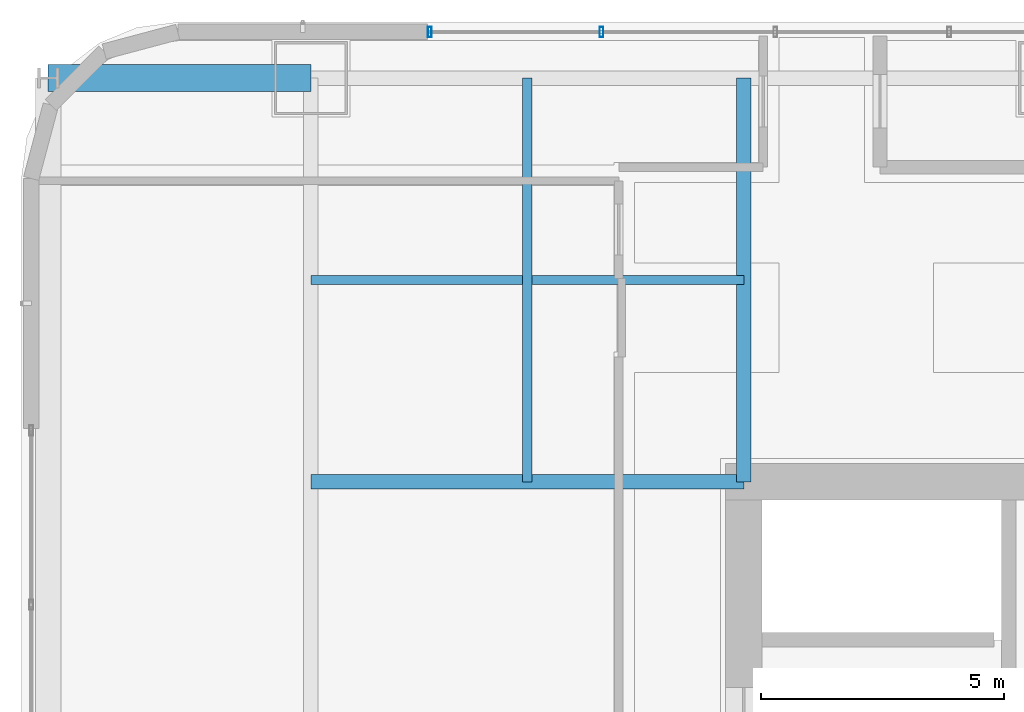
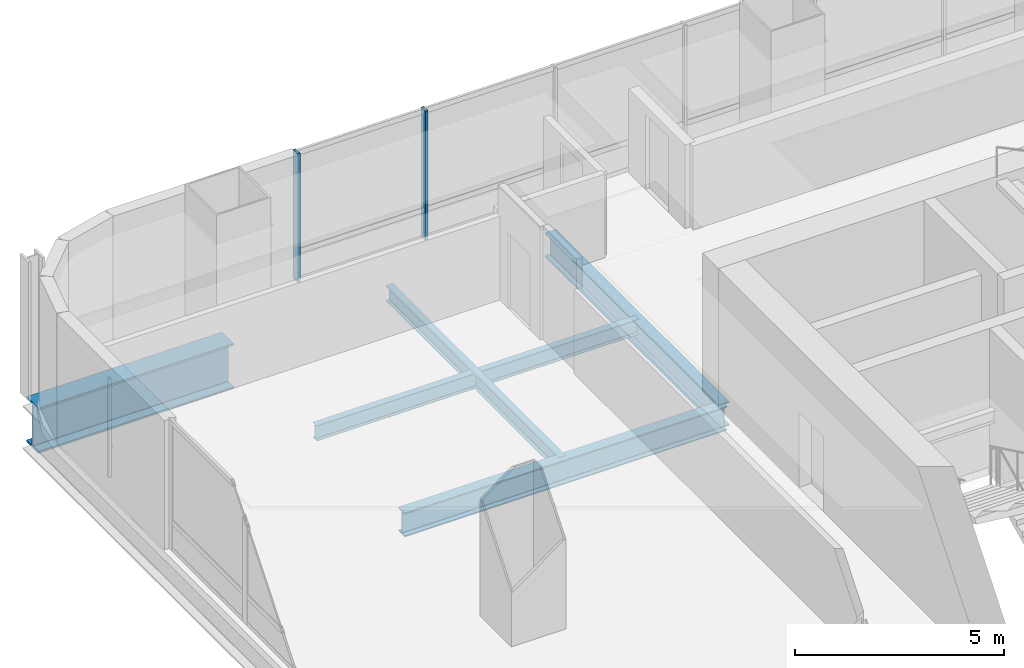
# One storey, part 18 of 45: 5 beams, 2 members, 1 element without a shape of its own.
"""IFC4 building model written with IfcOpenShell, lengths in metres."""

import ifcopenshell
import ifcopenshell.guid

model = None  # the IFC model being written
_history = None  # IfcOwnerHistory: only IFC2X3 demands one
_inside = {}  # id of a spatial element -> (the spatial element, [elements in it])
_under = {}  # id of a project, library or spatial element -> (it, [spatial elements below it])
_declared = {}  # id of a project -> (the project, [libraries it declares])
_typed = {}  # id of a type object -> (the type object, [elements of that type])
_made_of = {}  # id of a material, layer set ... -> (it, [elements and type objects made of it])


def new_model(schema):
    """Start an empty IFC model of exactly this schema.

    Asked for "IFC4X3", IfcOpenShell would pick the latest addendum, in which some entities
    have other attributes; the version numbers below select the first issue.
    IFC2X3 requires an IfcOwnerHistory on every rooted entity: one is made here for all.
    """
    global model, _history
    if schema == "IFC4X3":
        model = ifcopenshell.file(schema_version=(4, 3, 0, 0))
    else:
        model = ifcopenshell.file(schema=schema)
    _inside.clear()
    _under.clear()
    _declared.clear()
    _typed.clear()
    _made_of.clear()
    _history = None
    if model.schema == "IFC2X3":
        org = make("IfcOrganization", Name="unknown")
        user = make(
            "IfcPersonAndOrganization",
            ThePerson=make("IfcPerson", FamilyName="unknown"),
            TheOrganization=org,
        )
        app = make(
            "IfcApplication",
            ApplicationDeveloper=org,
            Version="unknown",
            ApplicationFullName="unknown",
            ApplicationIdentifier="unknown",
        )
        _history = make(
            "IfcOwnerHistory",
            OwningUser=user,
            OwningApplication=app,
            ChangeAction="ADDED",
            CreationDate=0,
        )
    return model


def make(cls, **values):
    """One entity of the class cls with the attributes given. An attribute that is None is left unset."""
    return model.create_entity(
        cls, **{name: value for name, value in values.items() if value is not None}
    )


def rooted(cls, **values):
    """An entity with a GlobalId (a new one), such as an element, a storey or a relation."""
    return make(cls, GlobalId=ifcopenshell.guid.new(), OwnerHistory=_history, **values)


def si_unit(unit_type, name, prefix=None):
    """IfcSIUnit, for example si_unit("LENGTHUNIT", "METRE", prefix="MILLI")."""
    return make("IfcSIUnit", UnitType=unit_type, Prefix=prefix, Name=name)


def assignment(units):
    """IfcUnitAssignment: the units of a project."""
    return None if units is None else make("IfcUnitAssignment", Units=units)


def point(xyz):
    """IfcCartesianPoint."""
    return None if xyz is None else make("IfcCartesianPoint", Coordinates=xyz)


def direction(xyz):
    """IfcDirection."""
    return None if xyz is None else make("IfcDirection", DirectionRatios=xyz)


def frame(location, z_axis=None, x_axis=None):
    """IfcAxis2Placement3D, a coordinate frame: its origin and axes. An axis left out is left unset."""
    return make(
        "IfcAxis2Placement3D",
        Location=point(location),
        Axis=direction(z_axis),
        RefDirection=direction(x_axis),
    )


def frame_2d(location, x_axis=None):
    """IfcAxis2Placement2D, a coordinate frame in the plane: its origin and x axis."""
    return make(
        "IfcAxis2Placement2D", Location=point(location), RefDirection=direction(x_axis)
    )


def origin():
    """The frame at (0, 0, 0) with its axes left unset."""
    return frame((0.0, 0.0, 0.0))


def origin_2d():
    """The frame at (0, 0) in the plane with its x axis left unset."""
    return frame_2d((0.0, 0.0))


def place(relative_to, where):
    """IfcLocalPlacement: puts the frame where relative to a parent placement (None: the world)."""
    return make(
        "IfcLocalPlacement", PlacementRelTo=relative_to, RelativePlacement=where
    )


def context(
    kind, dimensions, precision=None, world=None, true_north=None, identifier=None
):
    """IfcGeometricRepresentationContext, for example the 3D "Model" context."""
    return make(
        "IfcGeometricRepresentationContext",
        ContextIdentifier=identifier,
        ContextType=kind,
        CoordinateSpaceDimension=dimensions,
        Precision=precision,
        WorldCoordinateSystem=world,
        TrueNorth=true_north,
    )


def subcontext(parent, identifier, kind, view, scale=None):
    """IfcGeometricRepresentationSubContext, for example "Body" below "Model"."""
    return make(
        "IfcGeometricRepresentationSubContext",
        ContextIdentifier=identifier,
        ContextType=kind,
        ParentContext=parent,
        TargetScale=scale,
        TargetView=view,
    )


def project(units=None, contexts=None):
    """IfcProject with its units and contexts."""
    return rooted(
        "IfcProject",
        Name="project",
        RepresentationContexts=contexts,
        UnitsInContext=assignment(units),
    )


def spatial(cls, under=None, at=None, **own):
    """A site, building, storey or space (cls), placed at a placement, below another one or the project."""
    s = rooted(cls, ObjectPlacement=at, **own)
    if under is not None:
        _under.setdefault(under.id(), (under, []))[1].append(s)
    return s


def profile(cls, at=None, kind="AREA", **sizes):
    """A parametric profile (cls). Its sizes go by their IFC names, for example OverallWidth=200.0."""
    return make(cls, ProfileType=kind, Position=at, **sizes)


def hollow_rectangle(**sizes):
    """IfcRectangleHollowProfileDef."""
    return profile("IfcRectangleHollowProfileDef", **sizes)


def i_section(**sizes):
    """IfcIShapeProfileDef."""
    return profile("IfcIShapeProfileDef", **sizes)


def extrude(swept, where, along, depth):
    """IfcExtrudedAreaSolid: the profile swept, set in the frame where, extruded along a direction by depth."""
    return make(
        "IfcExtrudedAreaSolid",
        SweptArea=swept,
        Position=where,
        ExtrudedDirection=direction(along),
        Depth=depth,
    )


def shape(context_of_items, identifier, shape_type, items):
    """IfcShapeRepresentation: the items that make up one representation, for example the "Body"."""
    return make(
        "IfcShapeRepresentation",
        ContextOfItems=context_of_items,
        RepresentationIdentifier=identifier,
        RepresentationType=shape_type,
        Items=items,
    )


def material(Name=None, Category=None):
    """IfcMaterial."""
    return make("IfcMaterial", Name=Name, Category=Category)


def material_profile(
    of_material, cross_section, Name=None, Category=None, Priority=None
):
    """IfcMaterialProfile: a cross section and its material."""
    return make(
        "IfcMaterialProfile",
        Name=Name,
        Material=of_material,
        Profile=cross_section,
        Priority=Priority,
        Category=Category,
    )


def profile_set(profiles, Name=None, composite=None):
    """IfcMaterialProfileSet."""
    return make(
        "IfcMaterialProfileSet",
        Name=Name,
        MaterialProfiles=profiles,
        CompositeProfile=composite,
    )


def made_of(thing, what):
    """Note that an element or type object is made of a material, layer set ...; save() writes the relation."""
    if what is not None:
        _made_of.setdefault(what.id(), (what, []))[1].append(thing)
    return thing


def type_object(cls, material=None, **own):
    """A type object (cls), such as IfcWallType, which elements share."""
    return made_of(rooted(cls, **own), material)


def element(
    cls,
    number,
    at=None,
    inside=None,
    cuts=None,
    type_object=None,
    material=None,
    context=None,
    identifier="Body",
    shape_type=None,
    held_by="IfcProductDefinitionShape",
    body=None,
    shapes=None,
    **own,
):
    """One element of the class cls, such as IfcWall. Its Tag is "e" and its number.

    at: its placement. inside: the storey or other place that contains it. cuts: it is an
    opening in that element (IfcRelVoidsElement). A single representation is given by context,
    identifier, shape_type and body (its items); several are given by shapes. held_by: the class
    of the entity that holds the representations. save() writes the other relations.
    """
    e = rooted(cls, Tag="e%d" % number, ObjectPlacement=at, **own)
    if body is not None:
        shapes = [shape(context, identifier, shape_type, body)]
    if shapes is not None:
        e.Representation = make(held_by, Representations=shapes)
    if inside is not None:
        _inside.setdefault(inside.id(), (inside, []))[1].append(e)
    if cuts is not None:
        rooted(
            "IfcRelVoidsElement", RelatingBuildingElement=cuts, RelatedOpeningElement=e
        )
    if type_object is not None:
        _typed.setdefault(type_object.id(), (type_object, []))[1].append(e)
    return made_of(e, material)


def aggregate(whole, parts):
    """IfcRelAggregates: a whole, such as a stair, and the parts it consists of."""
    return rooted("IfcRelAggregates", RelatingObject=whole, RelatedObjects=parts)


def save(model, path):
    """Write the relations noted so far, then the file.

    IfcRelAggregates (storeys below a building ...), IfcRelContainedInSpatialStructure (elements
    in a storey), IfcRelDefinesByType, IfcRelAssociatesMaterial and IfcRelDeclares: one each for
    every whole, place, type object, material and project.
    """
    for whole, parts in _under.values():
        aggregate(whole, parts)
    for where, things in _inside.values():
        rooted(
            "IfcRelContainedInSpatialStructure",
            RelatedElements=things,
            RelatingStructure=where,
        )
    for kind, things in _typed.values():
        rooted("IfcRelDefinesByType", RelatedObjects=things, RelatingType=kind)
    for what, things in _made_of.values():
        rooted("IfcRelAssociatesMaterial", RelatedObjects=things, RelatingMaterial=what)
    for by, libraries in _declared.values():
        rooted("IfcRelDeclares", RelatingContext=by, RelatedDefinitions=libraries)
    model.write(path)


model = new_model("IFC4")

# Units and contexts
model_context = context("Model", 3, precision=1e-05, world=origin(), true_north=direction((0.0, 1.0)))
body_context = subcontext(model_context, "Body", "Model", "MODEL_VIEW")
ifc_project = project(units=[si_unit("LENGTHUNIT", "METRE"), si_unit("AREAUNIT", "SQUARE_METRE"), si_unit("VOLUMEUNIT", "CUBIC_METRE"), si_unit("PLANEANGLEUNIT", "RADIAN"), si_unit("MASSUNIT", "GRAM", prefix="KILO")], contexts=[model_context])

# Site, building, storey
site_placement = place(None, origin())
site = spatial("IfcSite", under=ifc_project, at=site_placement, CompositionType="ELEMENT")
building_placement = place(site_placement, origin())
building = spatial("IfcBuilding", under=site, at=building_placement, Name="Punatoya Terracotta Tower", CompositionType="ELEMENT")
storey_placement = place(building_placement, frame((0.0, 0.0, 56.550048828125)))
storey = spatial("IfcBuildingStorey", under=building, at=storey_placement, Name="L12", CompositionType="ELEMENT", Elevation=56.550048828125)

# Beams
ifc_material_1 = material(Name="Steel S355", Category="steel")
ifc_material_profile_1 = material_profile(ifc_material_1, i_section(OverallWidth=0.300048828125, OverallDepth=0.699951171875, WebThickness=0.01708984375, FlangeThickness=0.031982421875, FilletRadius=0.01806640625, at=origin_2d()))
ifc_profile_set_1 = profile_set([ifc_material_profile_1], Name="Steel S355")
beam_type_1 = type_object("IfcBeamType", Name="BM-PRI-700", PredefinedType="BEAM", material=ifc_profile_set_1)
beam_1_placement = place(storey_placement, frame((-19.10009765625, 9.199951171875, -0.590087890625), z_axis=(1.0, 0.0, 0.0), x_axis=(0.0, 1.0, 0.0)))
element("IfcBeam", 1, at=beam_1_placement, inside=storey, type_object=beam_type_1, Name="BM-L12-PR-WN", PredefinedType="BEAM", context=body_context, shape_type="SweptSolid", body=[
    extrude(i_section(OverallWidth=0.300048828125, OverallDepth=0.699951171875, WebThickness=0.01708984375, FlangeThickness=0.031982421875, FilletRadius=0.01806640625, at=origin_2d()), origin(), (0.0, 0.0, 1.0), 8.900146484375),
])
beam_2_placement = place(storey_placement, frame((-10.199951171875, 9.199951171875, -0.590087890625), z_axis=(0.0, 1.0, 0.0), x_axis=(-1.0, 0.0, 0.0)))
element("IfcBeam", 2, at=beam_2_placement, inside=storey, type_object=beam_type_1, Name="BM-L12-PR-N1", PredefinedType="BEAM", context=body_context, shape_type="SweptSolid", body=[
    extrude(i_section(OverallWidth=0.300048828125, OverallDepth=0.699951171875, WebThickness=0.01708984375, FlangeThickness=0.031982421875, FilletRadius=0.01806640625, at=origin_2d()), origin(), (0.0, 0.0, 1.0), 8.300048828125),
])
ifc_material_profile_2 = material_profile(ifc_material_1, i_section(OverallWidth=0.18994140625, OverallDepth=0.449951171875, WebThickness=0.009521484375, FlangeThickness=0.0146484375, FilletRadius=0.01806640625, at=origin_2d()))
ifc_profile_set_2 = profile_set([ifc_material_profile_2], Name="Steel S355")
beam_type_2 = type_object("IfcBeamType", Name="BM-SEC-450", PredefinedType="JOIST", material=ifc_profile_set_2)
beam_3_placement = place(storey_placement, frame((-19.10009765625, 13.35009765625, -0.465087890625), z_axis=(1.0, 0.0, 0.0), x_axis=(0.0, 1.0, 0.0)))
element("IfcBeam", 3, at=beam_3_placement, inside=storey, type_object=beam_type_2, Name="BM-L12-SJN-1", PredefinedType="JOIST", context=body_context, shape_type="SweptSolid", body=[
    extrude(i_section(OverallWidth=0.18994140625, OverallDepth=0.449951171875, WebThickness=0.009521484375, FlangeThickness=0.0146484375, FilletRadius=0.01806640625, at=origin_2d()), origin(), (0.0, 0.0, 1.0), 8.900146484375),
])
beam_4_placement = place(storey_placement, frame((-14.64990234375, 9.199951171875, -0.465087890625), z_axis=(0.0, 1.0, 0.0), x_axis=(-1.0, 0.0, 0.0)))
element("IfcBeam", 4, at=beam_4_placement, inside=storey, type_object=beam_type_2, Name="BM-L12-SJW-2", PredefinedType="JOIST", context=body_context, shape_type="SweptSolid", body=[
    extrude(i_section(OverallWidth=0.18994140625, OverallDepth=0.449951171875, WebThickness=0.009521484375, FlangeThickness=0.0146484375, FilletRadius=0.01806640625, at=origin_2d()), origin(), (0.0, 0.0, 1.0), 8.300048828125),
])
ifc_material_2 = material(Name="Steel S460", Category="steel")
ifc_material_profile_3 = material_profile(ifc_material_2, i_section(OverallWidth=0.56005859375, OverallDepth=1.320068359375, WebThickness=0.035888671875, FlangeThickness=0.054931640625, FilletRadius=0.01806640625, at=origin_2d()))
ifc_profile_set_3 = profile_set([ifc_material_profile_3], Name="Steel S460")
beam_type_3 = type_object("IfcBeamType", Name="BM-TG-BLK", PredefinedType="BEAM", material=ifc_profile_set_3)
beam_5_placement = place(storey_placement, frame((-24.5, 17.5, -0.900146484375), z_axis=(1.0, 0.0, 0.0), x_axis=(0.0, 1.0, 0.0)))
element("IfcBeam", 5, at=beam_5_placement, inside=storey, type_object=beam_type_3, Name="BM-L12-CANT-W4", PredefinedType="BEAM", context=body_context, shape_type="SweptSolid", body=[
    extrude(i_section(OverallWidth=0.56005859375, OverallDepth=1.320068359375, WebThickness=0.035888671875, FlangeThickness=0.054931640625, FilletRadius=0.01806640625, at=origin_2d()), origin(), (0.0, 0.0, 1.0), 5.39990234375),
])

# Curtain wall, members
ifc_material_3 = material(Name="Aluminium 6063-T6 + Double Low-E Glass", Category="aluminium")
curtain_wall_type = type_object("IfcCurtainWallType", Name="CW-M1", PredefinedType="NOTDEFINED", material=ifc_material_3)
curtain_wall_placement = place(storey_placement, origin())
curtain_wall = element("IfcCurtainWall", 6, at=curtain_wall_placement, inside=storey, type_object=curtain_wall_type, Name="L12 Curtain Wall CW-L12-N09-1", PredefinedType="NOTDEFINED")
ifc_material_4 = material(Name="Aluminium 6063-T6", Category="aluminium")
ifc_material_profile_4 = material_profile(ifc_material_4, hollow_rectangle(XDim=0.074951171875, YDim=0.2099609375, WallThickness=0.00439453125, at=origin_2d()))
ifc_profile_set_4 = profile_set([ifc_material_profile_4], Name="Aluminium 6063-T6")
member_type = type_object("IfcMemberType", Name="CW-MUL-M1", PredefinedType="MULLION", material=ifc_profile_set_4)
member_1_placement = place(storey_placement, frame((-13.125, 18.449951171875, 0.0), z_axis=(0.0, 0.0, 1.0), x_axis=(1.0, 0.0, 0.0)))
member_1 = element("IfcMember", 7, at=member_1_placement, type_object=member_type, Name="CW-L12-N09-1 Mullion 07", PredefinedType="MULLION", context=body_context, shape_type="SweptSolid", body=[
    extrude(hollow_rectangle(XDim=0.074951171875, YDim=0.2099609375, WallThickness=0.00439453125, at=origin_2d()), origin(), (0.0, 0.0, 1.0), 3.77001953125),
])
member_2_placement = place(storey_placement, frame((-16.655029296875, 18.449951171875, 0.0), z_axis=(0.0, 0.0, 1.0), x_axis=(1.0, 0.0, 0.0)))
member_2 = element("IfcMember", 8, at=member_2_placement, type_object=member_type, Name="CW-L12-N09-1 Mullion 08", PredefinedType="MULLION", context=body_context, shape_type="SweptSolid", body=[
    extrude(hollow_rectangle(XDim=0.074951171875, YDim=0.2099609375, WallThickness=0.00439453125, at=origin_2d()), origin(), (0.0, 0.0, 1.0), 3.77001953125),
])
aggregate(curtain_wall, [member_1, member_2])

save(model, "model.ifc")
